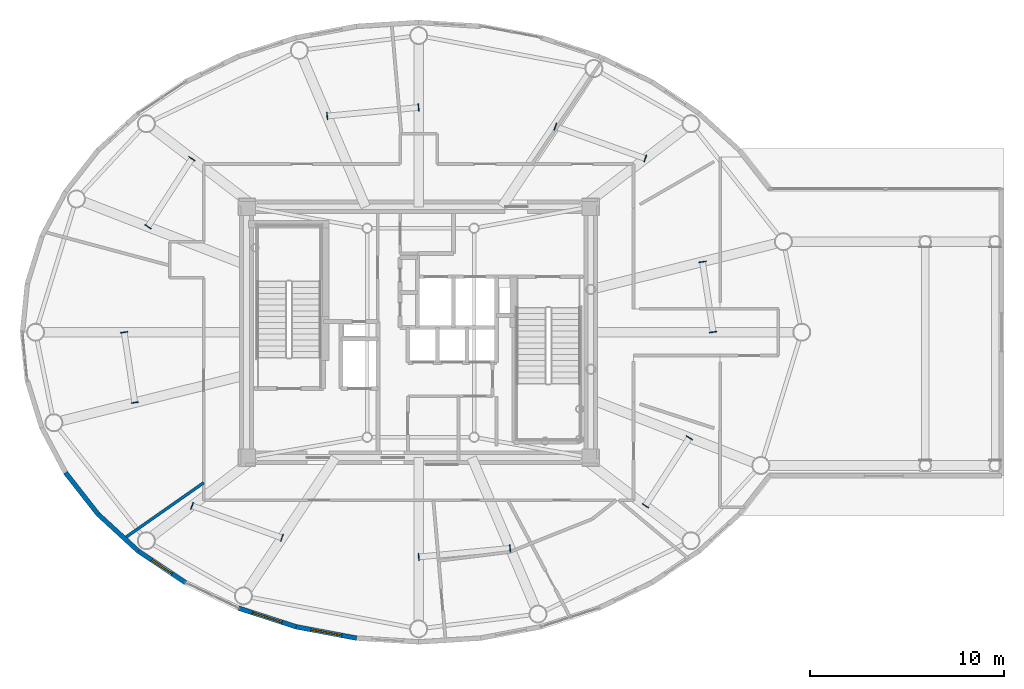
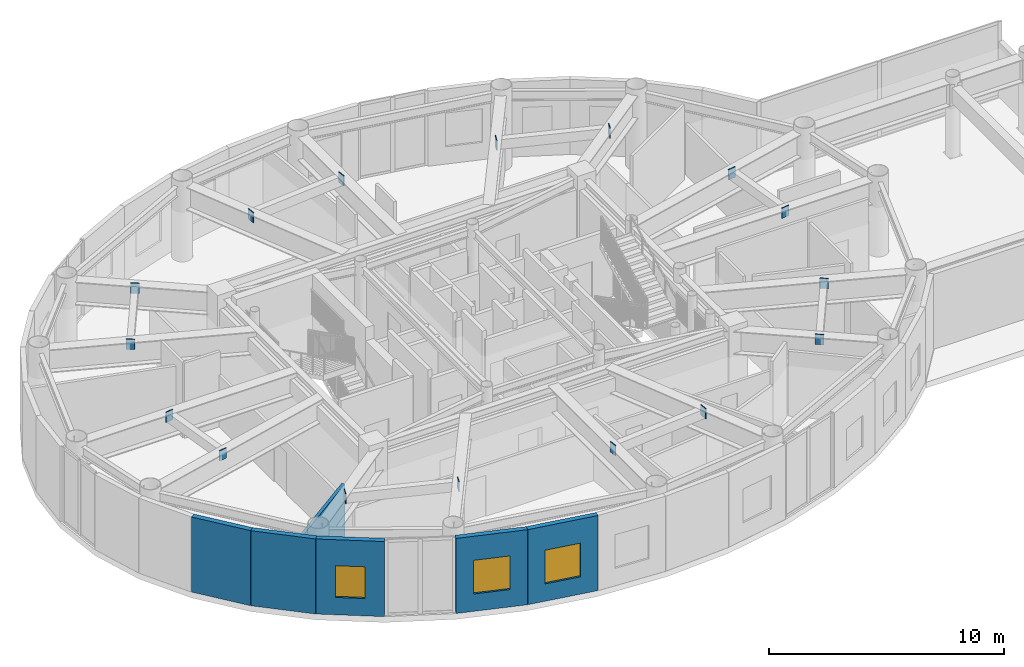
# One storey, part 15 of 26: 16 plates, 6 walls, 3 windows, 3 openings.
"""IFC4 building model written with IfcOpenShell, lengths in metres."""

from ifc_helpers import new_model, si_unit, direction, frame, frame_2d, origin, origin_2d, place, context, subcontext, project, spatial, rectangle, extrude, source, transform, mapped, material, layer, layer_set, type_object, element, fill, save


model = new_model("IFC4")

# Units and contexts
model_context = context("Model", 3, precision=1e-05, world=origin(), true_north=direction((0.0, 1.0)))
body_context = subcontext(model_context, "Body", "Model", "MODEL_VIEW")
ifc_project = project(units=[si_unit("LENGTHUNIT", "METRE"), si_unit("AREAUNIT", "SQUARE_METRE"), si_unit("VOLUMEUNIT", "CUBIC_METRE"), si_unit("PLANEANGLEUNIT", "RADIAN"), si_unit("MASSUNIT", "GRAM", prefix="KILO")], contexts=[model_context])

# Site, building, storey
site_placement = place(None, origin())
site = spatial("IfcSite", under=ifc_project, at=site_placement, CompositionType="ELEMENT")
building_placement = place(site_placement, origin())
building = spatial("IfcBuilding", under=site, at=building_placement, Name="Linh Dai School and Residence Tower", CompositionType="ELEMENT")
storey_placement = place(building_placement, frame((0.0, 0.0, 346.800048828125)))
storey = spatial("IfcBuildingStorey", under=building, at=storey_placement, Name="L86", CompositionType="ELEMENT", Elevation=346.800048828125)

# Plates
ifc_material_1 = material(Name="Structural Steel S355JR", Category="steel")
ifc_layer_1 = layer(ifc_material_1, 0.0400390625)
ifc_layer_set_1 = layer_set([ifc_layer_1], Name="Structural Steel S355JR")
plate_type = type_object("IfcPlateType", Name="PLT-GP1", PredefinedType="USERDEFINED", material=ifc_layer_set_1)
shared_shape_1 = source(origin(), body_context, "Body", "SweptSolid", [
    extrude(rectangle(XDim=0.0400390625, YDim=0.3798828125, at=origin_2d()), origin(), (0.0, 0.0, 1.0), 0.5400390625),
])
for number, where, z_axis, x_axis, name in (
    (1, (51.142333984375, 27.0048828125, 3.3798828125), (0.0, 0.0, 1.0), (-0.14919569937, 0.988807687718, 0.0), "L86 Secondary Beam End Plate 01A"),
    (2, (50.59716796875, 30.6171875, 3.3798828125), (0.0, 0.0, 1.0), (-0.14919569937, 0.988807687718, 0.0), "L86 Secondary Beam End Plate 01B"),
    (3, (47.654296875, 35.929931640625, 3.3798828125), (0.0, 0.0, 1.0), (-0.942250610754, 0.334908624154, 0.0), "L86 Secondary Beam End Plate 02A"),
    (4, (43.030517578125, 37.5732421875, 3.3798828125), (0.0, 0.0, 1.0), (-0.942250610754, 0.334908624154, 0.0), "L86 Secondary Beam End Plate 02B"),
    (5, (35.9951171875, 38.556396484375, 3.3798828125), (0.0, 0.0, 1.0), (-0.995631242952, -0.093372523034, 0.0), "L86 Secondary Beam End Plate 03A"),
    (6, (31.298095703125, 38.115966796875, 3.3798828125), (0.0, 0.0, 1.0), (-0.995631242952, -0.093372523034, 0.0), "L86 Secondary Beam End Plate 03B"),
    (7, (24.33837890625, 35.924072265625, 3.3798828125), (0.0, 0.0, 1.0), (-0.542321659553, -0.840170945451, 0.0), "L86 Secondary Beam End Plate 04A"),
    (8, (22.08056640625, 32.42626953125, 3.3798828125), (0.0, 0.0, 1.0), (-0.542321659553, -0.840170945451, 0.0), "L86 Secondary Beam End Plate 04B"),
    (9, (20.857666015625, 26.9951171875, 3.3798828125), (0.0, 0.0, 1.0), (0.14919569937, -0.988807687718, 0.0), "L86 Secondary Beam End Plate 05A"),
    (10, (21.40283203125, 23.3828125, 3.3798828125), (0.0, 0.0, 1.0), (0.14919569937, -0.988807687718, 0.0), "L86 Secondary Beam End Plate 05B"),
    (11, (24.345703125, 18.070068359375, 3.3798828125), (0.0, 0.0, 1.0), (0.942250610754, -0.334908624154, 0.0), "L86 Secondary Beam End Plate 06A"),
    (12, (28.969482421875, 16.4267578125, 3.3798828125), (0.0, 0.0, 1.0), (0.942250610754, -0.334908624154, 0.0), "L86 Secondary Beam End Plate 06B"),
    (13, (36.0048828125, 15.443603515625, 3.3798828125), (0.0, 0.0, 1.0), (0.995631242952, 0.093372523034, 0.0), "L86 Secondary Beam End Plate 07A"),
    (14, (40.701904296875, 15.884033203125, 3.3798828125), (0.0, 0.0, 1.0), (0.995631242952, 0.093372523034, 0.0), "L86 Secondary Beam End Plate 07B"),
    (15, (47.66162109375, 18.075927734375, 3.3798828125), (0.0, 0.0, 1.0), (0.542321659553, 0.840170945451, 0.0), "L86 Secondary Beam End Plate 08A"),
    (16, (49.91943359375, 21.57373046875, 3.3798828125), (0.0, 0.0, 1.0), (0.542321659553, 0.840170945451, 0.0), "L86 Secondary Beam End Plate 08B"),
):
    element("IfcPlate", number, at=place(storey_placement, frame(where, z_axis=z_axis, x_axis=x_axis)), inside=storey, type_object=plate_type, Name=name, ObjectType="GUSSET PLATE", PredefinedType="USERDEFINED", context=body_context, shape_type="MappedRepresentation", body=[
        mapped(shared_shape_1, transform((0.0, 0.0, 0.0), x_axis=(1.0, 0.0, 0.0), y_axis=(0.0, 1.0, 0.0), z_axis=(0.0, 0.0, 1.0), scale=1.0)),
    ])

# Walls
ifc_material_2 = material(Name="Precast Concrete B45 (C35/45)", Category="concrete")
ifc_layer_2 = layer(ifc_material_2, 0.239990234375)
ifc_layer_set_2 = layer_set([ifc_layer_2], Name="Precast Concrete B45 (C35/45)")
wall_type_1 = type_object("IfcWallType", Name="EW-TC-240", PredefinedType="SOLIDWALL", material=ifc_layer_set_2)
wall_1_placement = place(storey_placement, frame((19.5068359375, 17.648193359375, 0.0), z_axis=(0.0, 0.0, 1.0), x_axis=(-0.616286367698, 0.78752213492, 0.0)))
element("IfcWall", 17, at=wall_1_placement, inside=storey, type_object=wall_type_1, Name="L86 Terracotta Exterior Wall 24", PredefinedType="SOLIDWALL", context=body_context, shape_type="SweptSolid", body=[
    extrude(rectangle(XDim=2.7060546875, YDim=0.239990234375, at=frame_2d((1.35302734375, 0.0))), origin(), (0.0, 0.0, 1.0), 3.89990234375),
])
wall_2_placement = place(storey_placement, frame((21.581298828125, 15.745849609375, 0.0), z_axis=(0.0, 0.0, 1.0), x_axis=(-0.737020907932, 0.675869944051, 0.0)))
element("IfcWall", 18, at=wall_2_placement, inside=storey, type_object=wall_type_1, Name="L86 Terracotta Exterior Wall 25", PredefinedType="SOLIDWALL", context=body_context, shape_type="SweptSolid", body=[
    extrude(rectangle(XDim=2.814697265625, YDim=0.239990234375, at=frame_2d((1.4072265625, 0.0))), origin(), (0.0, 0.0, 1.0), 3.89990234375),
])

# Wall, opening, window
wall_3_placement = place(storey_placement, frame((24.01220703125, 14.119873046875, 0.0), z_axis=(0.0, 0.0, 1.0), x_axis=(-0.831201688654, 0.555970999944, 0.0)))
wall_3 = element("IfcWall", 19, at=wall_3_placement, inside=storey, type_object=wall_type_1, Name="L86 Terracotta Exterior Wall 26", PredefinedType="SOLIDWALL", context=body_context, shape_type="SweptSolid", body=[
    extrude(rectangle(XDim=2.924560546875, YDim=0.239990234375, at=frame_2d((1.46240234375, 0.0))), origin(), (0.0, 0.0, 1.0), 3.89990234375),
])
opening_1_placement = place(wall_3_placement, frame((0.837158203125, 0.0, 0.89990234375)))
opening_1 = element("IfcOpeningElement", 20, at=opening_1_placement, cuts=wall_3, Name="Opening W3", PredefinedType="OPENING", context=body_context, shape_type="SweptSolid", body=[
    extrude(rectangle(XDim=1.25, YDim=1.64990234375, at=origin_2d()), frame((0.625, 0.1298828125, 0.824951171875), z_axis=(0.0, -1.0, 0.0), x_axis=(1.0, 0.0, 0.0)), (0.0, 0.0, 1.0), 0.260009765625),
])
ifc_material_3 = material(Name="Double Low-E Insulated Glazing", Category="glass")
window_type_1 = type_object("IfcWindowType", Name="WN-RES-1250x1650", PartitioningType="SINGLE_PANEL", PredefinedType="WINDOW", material=ifc_material_3)
shared_shape_2 = source(origin(), body_context, "Body", "SweptSolid", [
    extrude(rectangle(XDim=1.25, YDim=1.64990234375, at=origin_2d()), frame((0.625, 0.030029296875, 0.824951171875), z_axis=(0.0, -1.0, 0.0), x_axis=(1.0, 0.0, 0.0)), (0.0, 0.0, 1.0), 0.06005859375),
])
window_1_placement = place(opening_1_placement, origin())
window_1 = element("IfcWindow", 21, at=window_1_placement, inside=storey, type_object=window_type_1, Name="L86 Exterior Window 26.1", OverallHeight=1.64990234375, OverallWidth=1.25, PartitioningType="SINGLE_PANEL", PredefinedType="WINDOW", context=body_context, shape_type="MappedRepresentation", body=[
    mapped(shared_shape_2, transform((0.0, 0.0, 0.0), x_axis=(1.0, 0.0, 0.0), y_axis=(0.0, 1.0, 0.0), z_axis=(0.0, 0.0, 1.0), scale=1.0)),
])
fill(opening_1, window_1)

wall_4_placement = place(storey_placement, frame((29.696044921875, 11.85205078125, 0.0), z_axis=(0.0, 0.0, 1.0), x_axis=(-0.951212850731, 0.308535431682, 0.0)))
wall_4 = element("IfcWall", 22, at=wall_4_placement, inside=storey, type_object=wall_type_1, Name="L86 Terracotta Exterior Wall 28", PredefinedType="SOLIDWALL", context=body_context, shape_type="SweptSolid", body=[
    extrude(rectangle(XDim=3.108154296875, YDim=0.239990234375, at=frame_2d((1.55419921875, 0.0))), origin(), (0.0, 0.0, 1.0), 3.89990234375),
])
opening_2_placement = place(wall_4_placement, frame((0.75390625, 0.0, 0.89990234375)))
opening_2 = element("IfcOpeningElement", 23, at=opening_2_placement, cuts=wall_4, Name="Opening W2", PredefinedType="OPENING", context=body_context, shape_type="SweptSolid", body=[
    extrude(rectangle(XDim=1.60009765625, YDim=1.75, at=origin_2d()), frame((0.800048828125, 0.1298828125, 0.875), z_axis=(0.0, -1.0, 0.0), x_axis=(1.0, 0.0, 0.0)), (0.0, 0.0, 1.0), 0.260009765625),
])
window_type_2 = type_object("IfcWindowType", Name="WN-RES-1600x1750", PartitioningType="DOUBLE_PANEL_VERTICAL", PredefinedType="WINDOW", material=ifc_material_3)
shared_shape_3 = source(origin(), body_context, "Body", "SweptSolid", [
    extrude(rectangle(XDim=1.60009765625, YDim=1.75, at=origin_2d()), frame((0.800048828125, 0.030029296875, 0.875), z_axis=(0.0, -1.0, 0.0), x_axis=(1.0, 0.0, 0.0)), (0.0, 0.0, 1.0), 0.06005859375),
])
window_2_placement = place(opening_2_placement, origin())
window_2 = element("IfcWindow", 24, at=window_2_placement, inside=storey, type_object=window_type_2, Name="L86 Exterior Window 28.1", OverallHeight=1.75, OverallWidth=1.60009765625, PartitioningType="DOUBLE_PANEL_VERTICAL", PredefinedType="WINDOW", context=body_context, shape_type="MappedRepresentation", body=[
    mapped(shared_shape_3, transform((0.0, 0.0, 0.0), x_axis=(1.0, 0.0, 0.0), y_axis=(0.0, 1.0, 0.0), z_axis=(0.0, 0.0, 1.0), scale=1.0)),
])
fill(opening_2, window_2)

wall_5_placement = place(storey_placement, frame((32.80859375, 11.2666015625, 0.0), z_axis=(0.0, 0.0, 1.0), x_axis=(-0.98276643264, 0.184851667226, 0.0)))
wall_5 = element("IfcWall", 25, at=wall_5_placement, inside=storey, type_object=wall_type_1, Name="L86 Terracotta Exterior Wall 29", PredefinedType="SOLIDWALL", context=body_context, shape_type="SweptSolid", body=[
    extrude(rectangle(XDim=3.167236328125, YDim=0.239990234375, at=frame_2d((1.58349609375, 0.0))), origin(), (0.0, 0.0, 1.0), 3.89990234375),
])
opening_3_placement = place(wall_5_placement, frame((0.783447265625, 0.0, 0.89990234375)))
opening_3 = element("IfcOpeningElement", 26, at=opening_3_placement, cuts=wall_5, Name="Opening W2", PredefinedType="OPENING", context=body_context, shape_type="SweptSolid", body=[
    extrude(rectangle(XDim=1.60009765625, YDim=1.75, at=origin_2d()), frame((0.800048828125, 0.1298828125, 0.875), z_axis=(0.0, -1.0, 0.0), x_axis=(1.0, 0.0, 0.0)), (0.0, 0.0, 1.0), 0.260009765625),
])
window_3_placement = place(opening_3_placement, origin())
window_3 = element("IfcWindow", 27, at=window_3_placement, inside=storey, type_object=window_type_2, Name="L86 Exterior Window 29.1", OverallHeight=1.75, OverallWidth=1.60009765625, PartitioningType="DOUBLE_PANEL_VERTICAL", PredefinedType="WINDOW", context=body_context, shape_type="MappedRepresentation", body=[
    mapped(shared_shape_3, transform((0.0, 0.0, 0.0), x_axis=(1.0, 0.0, 0.0), y_axis=(0.0, 1.0, 0.0), z_axis=(0.0, 0.0, 1.0), scale=1.0)),
])
fill(opening_3, window_3)

# Wall
ifc_material_4 = material(Name="Autoclaved Aerated Concrete Blockwork", Category="masonry")
ifc_layer_3 = layer(ifc_material_4, 0.14990234375)
ifc_layer_set_3 = layer_set([ifc_layer_3], Name="Autoclaved Aerated Concrete Blockwork")
wall_type_2 = type_object("IfcWallType", Name="IW-SCH-150-EI60", PredefinedType="PARTITIONING", material=ifc_layer_set_3)
wall_6_placement = place(storey_placement, frame((20.861083984375, 16.399658203125, 0.0), z_axis=(0.0, 0.0, 1.0), x_axis=(0.81915378735, 0.573573946994, 0.0)))
element("IfcWall", 28, at=wall_6_placement, inside=storey, type_object=wall_type_2, Name="L86 Interior Partition Wall 002", PredefinedType="PARTITIONING", context=body_context, shape_type="SweptSolid", body=[
    extrude(rectangle(XDim=4.991455078125, YDim=0.14990234375, at=frame_2d((2.49560546875, 0.0))), origin(), (0.0, 0.0, 1.0), 3.385009765625),
])

save(model, "model.ifc")
